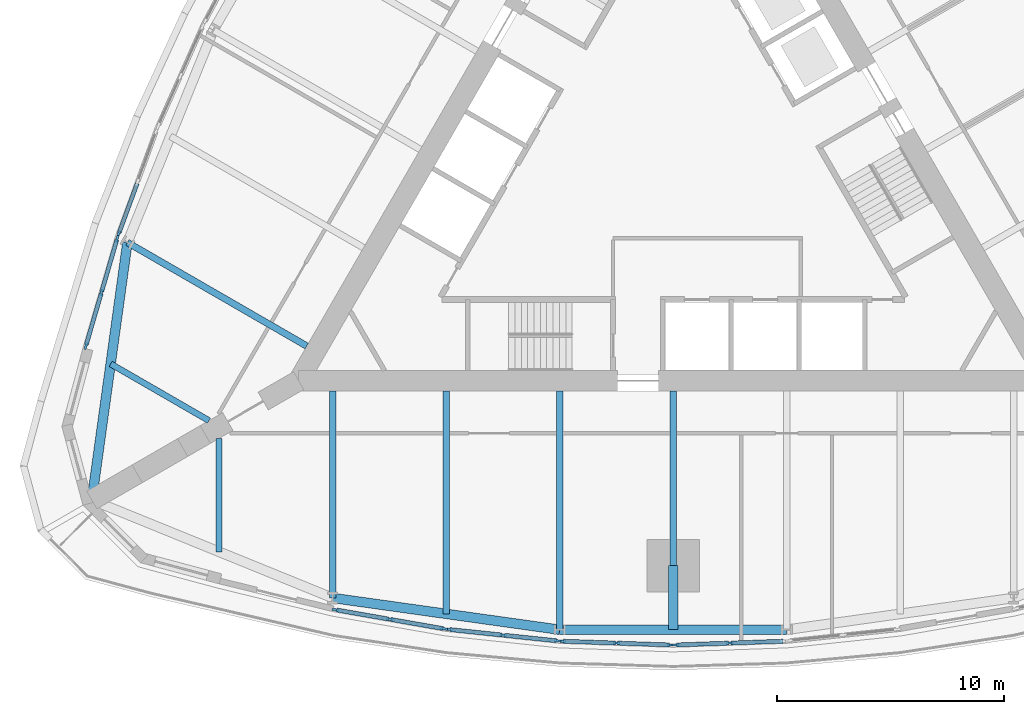
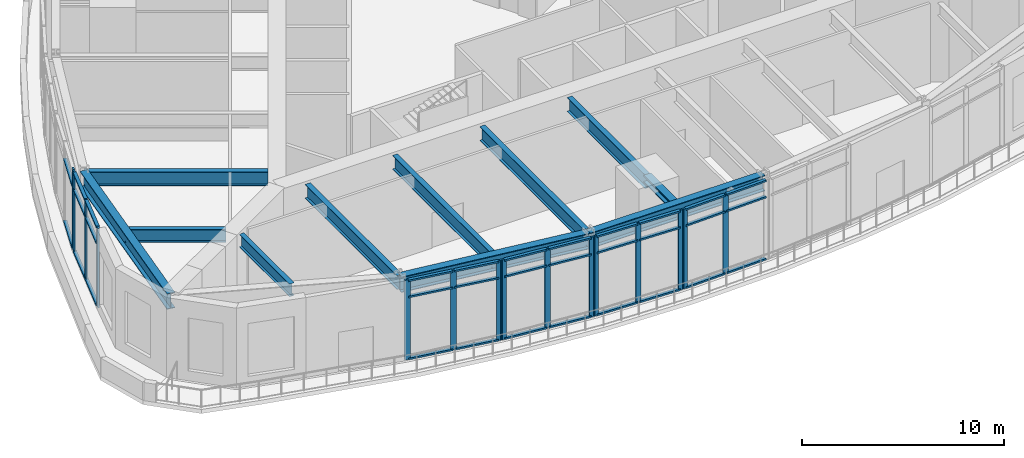
# One storey, part 2 of 14: 47 members, 11 beams, 6 elements without a shape of their own.
"""IFC4 building model written with IfcOpenShell, lengths in metres."""

from ifc_helpers import new_model, si_unit, direction, frame, origin, origin_2d, place, context, subcontext, project, spatial, rectangle, i_section, extrude, material, material_profile, profile_set, type_object, element, aggregate, save


model = new_model("IFC4")

# Units and contexts
model_context = context("Model", 3, precision=1e-05, world=origin(), true_north=direction((0.0, 1.0)))
body_context = subcontext(model_context, "Body", "Model", "MODEL_VIEW")
ifc_project = project(units=[si_unit("LENGTHUNIT", "METRE"), si_unit("AREAUNIT", "SQUARE_METRE"), si_unit("VOLUMEUNIT", "CUBIC_METRE"), si_unit("PLANEANGLEUNIT", "RADIAN"), si_unit("MASSUNIT", "GRAM", prefix="KILO")], contexts=[model_context])

# Site, building, storey
site_placement = place(None, origin())
site = spatial("IfcSite", under=ifc_project, at=site_placement, CompositionType="ELEMENT")
building_placement = place(site_placement, origin())
building = spatial("IfcBuilding", under=site, at=building_placement, Name="Trikona Tower", CompositionType="ELEMENT")
storey_placement = place(building_placement, frame((0.0, 0.0, 109.699951171875)))
storey = spatial("IfcBuildingStorey", under=building, at=storey_placement, Name="L28", CompositionType="ELEMENT", Elevation=109.699951171875)

# Curtain wall, members
ifc_material_1 = material(Name="Aluminium curtain wall system", Category="aluminium")
curtain_wall_type = type_object("IfcCurtainWallType", Name="Curtain wall SL", PredefinedType="NOTDEFINED", material=ifc_material_1)
curtain_wall_1_placement = place(storey_placement, origin())
curtain_wall_1 = element("IfcCurtainWall", 1, at=curtain_wall_1_placement, inside=storey, type_object=curtain_wall_type, Name="Curtain wall SL L28", PredefinedType="NOTDEFINED")
ifc_material_2 = material(Name="Aluminium mullion, pale anodised", Category="aluminium")
ifc_material_profile_1 = material_profile(ifc_material_2, rectangle(XDim=0.10009765625, YDim=0.300048828125, at=origin_2d()), Name="MUL-SL")
ifc_profile_set_1 = profile_set([ifc_material_profile_1], Name="Aluminium mullion, pale anodised")
member_type_1 = type_object("IfcMemberType", Name="Mullion SL 100x300", PredefinedType="MULLION", material=ifc_profile_set_1)
member_1_placement = place(storey_placement, frame((-14.87451171875, -19.62060546875, 0.0), z_axis=(0.0, 0.0, 1.0), x_axis=(0.172396973012, 0.98502755479, 0.0)))
member_1 = element("IfcMember", 2, at=member_1_placement, type_object=member_type_1, Name="CW-SL mullion 1", PredefinedType="MULLION", context=body_context, shape_type="SweptSolid", body=[
    extrude(rectangle(XDim=0.10009765625, YDim=0.300048828125, at=origin_2d()), origin(), (0.0, 0.0, 1.0), 4.8349609375),
])
member_2_placement = place(storey_placement, frame((-12.48291015625, -20.039306640625, 0.0), z_axis=(0.0, 0.0, 1.0), x_axis=(0.172396973012, 0.98502755479, 0.0)))
member_2 = element("IfcMember", 3, at=member_2_placement, type_object=member_type_1, Name="CW-SL mullion 2", PredefinedType="MULLION", context=body_context, shape_type="SweptSolid", body=[
    extrude(rectangle(XDim=0.10009765625, YDim=0.300048828125, at=origin_2d()), origin(), (0.0, 0.0, 1.0), 4.8349609375),
])
member_3_placement = place(storey_placement, frame((-10.091064453125, -20.457763671875, 0.0), z_axis=(0.0, 0.0, 1.0), x_axis=(0.172396973012, 0.98502755479, 0.0)))
member_3 = element("IfcMember", 4, at=member_3_placement, type_object=member_type_1, Name="CW-SL mullion 3", PredefinedType="MULLION", context=body_context, shape_type="SweptSolid", body=[
    extrude(rectangle(XDim=0.10009765625, YDim=0.300048828125, at=origin_2d()), origin(), (0.0, 0.0, 1.0), 4.8349609375),
])

curtain_wall_2_placement = place(storey_placement, origin())
curtain_wall_2 = element("IfcCurtainWall", 5, at=curtain_wall_2_placement, inside=storey, type_object=curtain_wall_type, Name="Curtain wall SL L28", PredefinedType="NOTDEFINED")
member_4_placement = place(storey_placement, frame((-9.880126953125, -20.4873046875, 0.0), z_axis=(0.0, 0.0, 1.0), x_axis=(0.104431270982, 0.994532105887, 0.0)))
member_4 = element("IfcMember", 6, at=member_4_placement, type_object=member_type_1, Name="CW-SL mullion 1", PredefinedType="MULLION", context=body_context, shape_type="SweptSolid", body=[
    extrude(rectangle(XDim=0.10009765625, YDim=0.300048828125, at=origin_2d()), origin(), (0.0, 0.0, 1.0), 4.8349609375),
])
member_5_placement = place(storey_placement, frame((-7.489501953125, -20.73828125, 0.0), z_axis=(0.0, 0.0, 1.0), x_axis=(0.104431270982, 0.994532105887, 0.0)))
member_5 = element("IfcMember", 7, at=member_5_placement, type_object=member_type_1, Name="CW-SL mullion 2", PredefinedType="MULLION", context=body_context, shape_type="SweptSolid", body=[
    extrude(rectangle(XDim=0.10009765625, YDim=0.300048828125, at=origin_2d()), origin(), (0.0, 0.0, 1.0), 4.8349609375),
])
member_6_placement = place(storey_placement, frame((-5.098876953125, -20.9892578125, 0.0), z_axis=(0.0, 0.0, 1.0), x_axis=(0.104431270982, 0.994532105887, 0.0)))
member_6 = element("IfcMember", 8, at=member_6_placement, type_object=member_type_1, Name="CW-SL mullion 3", PredefinedType="MULLION", context=body_context, shape_type="SweptSolid", body=[
    extrude(rectangle(XDim=0.10009765625, YDim=0.300048828125, at=origin_2d()), origin(), (0.0, 0.0, 1.0), 4.8349609375),
])

curtain_wall_3_placement = place(storey_placement, origin())
curtain_wall_3 = element("IfcCurtainWall", 9, at=curtain_wall_3_placement, inside=storey, type_object=curtain_wall_type, Name="Curtain wall SL L28", PredefinedType="NOTDEFINED")
member_7_placement = place(storey_placement, frame((-4.886474609375, -21.004150390625, 0.0), z_axis=(0.0, 0.0, 1.0), x_axis=(0.034978582174, 0.999388062161, 0.0)))
member_7 = element("IfcMember", 10, at=member_7_placement, type_object=member_type_1, Name="CW-SL mullion 1", PredefinedType="MULLION", context=body_context, shape_type="SweptSolid", body=[
    extrude(rectangle(XDim=0.10009765625, YDim=0.300048828125, at=origin_2d()), origin(), (0.0, 0.0, 1.0), 4.8349609375),
])
member_8_placement = place(storey_placement, frame((-2.49658203125, -21.087890625, 0.0), z_axis=(0.0, 0.0, 1.0), x_axis=(0.034978582174, 0.999388062161, 0.0)))
member_8 = element("IfcMember", 11, at=member_8_placement, type_object=member_type_1, Name="CW-SL mullion 2", PredefinedType="MULLION", context=body_context, shape_type="SweptSolid", body=[
    extrude(rectangle(XDim=0.10009765625, YDim=0.300048828125, at=origin_2d()), origin(), (0.0, 0.0, 1.0), 4.8349609375),
])
member_9_placement = place(storey_placement, frame((-0.1064453125, -21.17138671875, 0.0), z_axis=(0.0, 0.0, 1.0), x_axis=(0.034978582174, 0.999388062161, 0.0)))
member_9 = element("IfcMember", 12, at=member_9_placement, type_object=member_type_1, Name="CW-SL mullion 3", PredefinedType="MULLION", context=body_context, shape_type="SweptSolid", body=[
    extrude(rectangle(XDim=0.10009765625, YDim=0.300048828125, at=origin_2d()), origin(), (0.0, 0.0, 1.0), 4.8349609375),
])

curtain_wall_4_placement = place(storey_placement, origin())
curtain_wall_4 = element("IfcCurtainWall", 13, at=curtain_wall_4_placement, inside=storey, type_object=curtain_wall_type, Name="Curtain wall SL L28", PredefinedType="NOTDEFINED")
member_10_placement = place(storey_placement, frame((0.1064453125, -21.17138671875, 0.0), z_axis=(0.0, 0.0, 1.0), x_axis=(-0.034978582174, 0.999388062161, 0.0)))
member_10 = element("IfcMember", 14, at=member_10_placement, type_object=member_type_1, Name="CW-SL mullion 1", PredefinedType="MULLION", context=body_context, shape_type="SweptSolid", body=[
    extrude(rectangle(XDim=0.10009765625, YDim=0.300048828125, at=origin_2d()), origin(), (0.0, 0.0, 1.0), 4.8349609375),
])
member_11_placement = place(storey_placement, frame((2.49658203125, -21.087890625, 0.0), z_axis=(0.0, 0.0, 1.0), x_axis=(-0.034978582174, 0.999388062161, 0.0)))
member_11 = element("IfcMember", 15, at=member_11_placement, type_object=member_type_1, Name="CW-SL mullion 2", PredefinedType="MULLION", context=body_context, shape_type="SweptSolid", body=[
    extrude(rectangle(XDim=0.10009765625, YDim=0.300048828125, at=origin_2d()), origin(), (0.0, 0.0, 1.0), 4.8349609375),
])

# Curtain wall, member
curtain_wall_5_placement = place(storey_placement, origin())
curtain_wall_5 = element("IfcCurtainWall", 16, at=curtain_wall_5_placement, inside=storey, type_object=curtain_wall_type, Name="Curtain wall SL L28", PredefinedType="NOTDEFINED")
member_12_placement = place(storey_placement, frame((-24.42919921875, -3.0712890625, 0.0), z_axis=(0.0, 0.0, 1.0), x_axis=(0.939256167895, -0.343216915478, 0.0)))
member_12 = element("IfcMember", 17, at=member_12_placement, type_object=member_type_1, Name="CW-SL mullion 3", PredefinedType="MULLION", context=body_context, shape_type="SweptSolid", body=[
    extrude(rectangle(XDim=0.10009765625, YDim=0.300048828125, at=origin_2d()), origin(), (0.0, 0.0, 1.0), 4.8349609375),
])

# Curtain wall, members
curtain_wall_6_placement = place(storey_placement, origin())
curtain_wall_6 = element("IfcCurtainWall", 18, at=curtain_wall_6_placement, inside=storey, type_object=curtain_wall_type, Name="Curtain wall SL L28", PredefinedType="NOTDEFINED")
member_13_placement = place(storey_placement, frame((-24.49560546875, -3.27392578125, 0.0), z_axis=(0.0, 0.0, 1.0), x_axis=(0.960131547242, -0.2795485861, 0.0)))
member_13 = element("IfcMember", 19, at=member_13_placement, type_object=member_type_1, Name="CW-SL mullion 1", PredefinedType="MULLION", context=body_context, shape_type="SweptSolid", body=[
    extrude(rectangle(XDim=0.10009765625, YDim=0.300048828125, at=origin_2d()), origin(), (0.0, 0.0, 1.0), 4.8349609375),
])
member_14_placement = place(storey_placement, frame((-25.1845703125, -5.6396484375, 0.0), z_axis=(0.0, 0.0, 1.0), x_axis=(0.960131547242, -0.2795485861, 0.0)))
member_14 = element("IfcMember", 20, at=member_14_placement, type_object=member_type_1, Name="CW-SL mullion 2", PredefinedType="MULLION", context=body_context, shape_type="SweptSolid", body=[
    extrude(rectangle(XDim=0.10009765625, YDim=0.300048828125, at=origin_2d()), origin(), (0.0, 0.0, 1.0), 4.8349609375),
])
member_15_placement = place(storey_placement, frame((-25.873291015625, -8.005126953125, 0.0), z_axis=(0.0, 0.0, 1.0), x_axis=(0.960131547242, -0.2795485861, 0.0)))
member_15 = element("IfcMember", 21, at=member_15_placement, type_object=member_type_1, Name="CW-SL mullion 3", PredefinedType="MULLION", context=body_context, shape_type="SweptSolid", body=[
    extrude(rectangle(XDim=0.10009765625, YDim=0.300048828125, at=origin_2d()), origin(), (0.0, 0.0, 1.0), 4.8349609375),
])

# Beams
ifc_material_3 = material(Name="Steel ASTM A992 Grade 50", Category="steel")
ifc_material_profile_2 = material_profile(ifc_material_3, i_section(OverallWidth=0.419189453125, OverallDepth=0.45458984375, WebThickness=0.042236328125, FlangeThickness=0.067626953125, at=origin_2d()), Name="W14X370")
ifc_profile_set_2 = profile_set([ifc_material_profile_2], Name="Steel ASTM A992 Grade 50")
beam_type_1 = type_object("IfcBeamType", Name="Steel beam W14x370 (apex bracket)", PredefinedType="BEAM", material=ifc_profile_set_2)
beam_1_placement = place(storey_placement, frame((0.0, -17.680419921875, 4.607666015625), z_axis=(0.0, -1.0, 0.0), x_axis=(1.0, 0.0, 0.0)))
element("IfcBeam", 22, at=beam_1_placement, inside=storey, type_object=beam_type_1, Name="Cantilever bracket L29 F1", PredefinedType="BEAM", context=body_context, shape_type="SweptSolid", body=[
    extrude(i_section(OverallWidth=0.419189453125, OverallDepth=0.45458984375, WebThickness=0.042236328125, FlangeThickness=0.067626953125, at=origin_2d()), origin(), (0.0, 0.0, 1.0), 2.81982421875),
])
ifc_material_4 = material(Name="Steel ASTM A992 Grade 50", Category="steel")
ifc_material_profile_3 = material_profile(ifc_material_4, i_section(OverallWidth=0.2666015625, OverallDepth=0.76953125, WebThickness=0.015625, FlangeThickness=0.025390625, at=origin_2d()), Name="W30X132")
ifc_profile_set_3 = profile_set([ifc_material_profile_3], Name="Steel ASTM A992 Grade 50")
beam_type_2 = type_object("IfcBeamType", Name="Steel beam W30x132 (wedge)", PredefinedType="BEAM", material=ifc_profile_set_3)
beam_2_placement = place(storey_placement, frame((-20.0, -12.066650390625, 4.4501953125), z_axis=(0.0, -1.0, 0.0), x_axis=(1.0, 0.0, 0.0)))
element("IfcBeam", 23, at=beam_2_placement, inside=storey, type_object=beam_type_2, Name="Floor beam L29 F1 u-20", PredefinedType="BEAM", context=body_context, shape_type="SweptSolid", body=[
    extrude(i_section(OverallWidth=0.2666015625, OverallDepth=0.76953125, WebThickness=0.015625, FlangeThickness=0.025390625, at=origin_2d()), origin(), (0.0, 0.0, 1.0), 5.00048828125),
])
beam_3_placement = place(storey_placement, frame((-20.449951171875, -11.287109375, 4.4501953125), z_axis=(-0.866038434829, 0.49997742889, 0.0), x_axis=(-0.49997742889, -0.866038434829, 0.0)))
element("IfcBeam", 24, at=beam_3_placement, inside=storey, type_object=beam_type_2, Name="Floor beam L29 F3 u20", PredefinedType="BEAM", context=body_context, shape_type="SweptSolid", body=[
    extrude(i_section(OverallWidth=0.2666015625, OverallDepth=0.76953125, WebThickness=0.015625, FlangeThickness=0.025390625, at=origin_2d()), origin(), (0.0, 0.0, 1.0), 5.000732421875),
])
ifc_material_5 = material(Name="Steel ASTM A992 Grade 50", Category="steel")
ifc_material_profile_4 = material_profile(ifc_material_5, i_section(OverallWidth=0.2919921875, OverallDepth=0.845703125, WebThickness=0.015380859375, FlangeThickness=0.0244140625, at=origin_2d()), Name="W33X141")
ifc_profile_set_4 = profile_set([ifc_material_profile_4], Name="Steel ASTM A992 Grade 50")
beam_type_3 = type_object("IfcBeamType", Name="Steel beam W33x141 (radial typ)", PredefinedType="BEAM", material=ifc_profile_set_4)
beam_4_placement = place(storey_placement, frame((-15.0, -9.976318359375, 4.412109375), z_axis=(0.0, -1.0, 0.0), x_axis=(1.0, 0.0, 0.0)))
element("IfcBeam", 25, at=beam_4_placement, inside=storey, type_object=beam_type_3, Name="Floor beam L29 F1 u-15", PredefinedType="BEAM", context=body_context, shape_type="SweptSolid", body=[
    extrude(i_section(OverallWidth=0.2919921875, OverallDepth=0.845703125, WebThickness=0.015380859375, FlangeThickness=0.0244140625, at=origin_2d()), origin(), (0.0, 0.0, 1.0), 9.123779296875),
])
beam_5_placement = place(storey_placement, frame((-10.0, -9.976318359375, 4.412109375), z_axis=(0.0, -1.0, 0.0), x_axis=(1.0, 0.0, 0.0)))
element("IfcBeam", 26, at=beam_5_placement, inside=storey, type_object=beam_type_3, Name="Floor beam L29 F1 u-10", PredefinedType="BEAM", context=body_context, shape_type="SweptSolid", body=[
    extrude(i_section(OverallWidth=0.2919921875, OverallDepth=0.845703125, WebThickness=0.015380859375, FlangeThickness=0.0244140625, at=origin_2d()), origin(), (0.0, 0.0, 1.0), 9.823974609375),
])
beam_6_placement = place(storey_placement, frame((-5.0, -9.976318359375, 4.412109375), z_axis=(0.0, -1.0, 0.0), x_axis=(1.0, 0.0, 0.0)))
element("IfcBeam", 27, at=beam_6_placement, inside=storey, type_object=beam_type_3, Name="Floor beam L29 F1 u-5", PredefinedType="BEAM", context=body_context, shape_type="SweptSolid", body=[
    extrude(i_section(OverallWidth=0.2919921875, OverallDepth=0.845703125, WebThickness=0.015380859375, FlangeThickness=0.0244140625, at=origin_2d()), origin(), (0.0, 0.0, 1.0), 10.52392578125),
])
beam_7_placement = place(storey_placement, frame((0.0, -9.976318359375, 4.412109375), z_axis=(0.0, -1.0, 0.0), x_axis=(1.0, 0.0, 0.0)))
element("IfcBeam", 28, at=beam_7_placement, inside=storey, type_object=beam_type_3, Name="Floor beam L29 F1 u0", PredefinedType="BEAM", context=body_context, shape_type="SweptSolid", body=[
    extrude(i_section(OverallWidth=0.2919921875, OverallDepth=0.845703125, WebThickness=0.015380859375, FlangeThickness=0.0244140625, at=origin_2d()), origin(), (0.0, 0.0, 1.0), 7.7041015625),
])
beam_8_placement = place(storey_placement, frame((-16.1396484375, -8.002197265625, 4.412109375), z_axis=(-0.866024725532, 0.500001174766, 0.0), x_axis=(-0.500001174766, -0.866024725532, 0.0)))
element("IfcBeam", 29, at=beam_8_placement, inside=storey, type_object=beam_type_3, Name="Floor beam L29 F3 u15", PredefinedType="BEAM", context=body_context, shape_type="SweptSolid", body=[
    extrude(i_section(OverallWidth=0.2919921875, OverallDepth=0.845703125, WebThickness=0.015380859375, FlangeThickness=0.0244140625, at=origin_2d()), origin(), (0.0, 0.0, 1.0), 9.1240234375),
])
ifc_material_6 = material(Name="Steel ASTM A992 Grade 50", Category="steel")
ifc_material_profile_5 = material_profile(ifc_material_6, i_section(OverallWidth=0.424072265625, OverallDepth=0.947509765625, WebThickness=0.02392578125, FlangeThickness=0.042724609375, at=origin_2d()), Name="W36X302")
ifc_profile_set_5 = profile_set([ifc_material_profile_5], Name="Steel ASTM A992 Grade 50")
beam_type_4 = type_object("IfcBeamType", Name="Steel beam W36x302 (spandrel)", PredefinedType="SPANDREL", material=ifc_profile_set_5)
beam_9_placement = place(storey_placement, frame((-15.0, -19.10009765625, 4.361328125), z_axis=(0.990339754644, -0.13866207258, 0.0), x_axis=(0.13866207258, 0.990339754644, 0.0)))
element("IfcBeam", 30, at=beam_9_placement, inside=storey, type_object=beam_type_4, Name="Spandrel beam L29 F1-2", PredefinedType="SPANDREL", context=body_context, shape_type="SweptSolid", body=[
    extrude(i_section(OverallWidth=0.424072265625, OverallDepth=0.947509765625, WebThickness=0.02392578125, FlangeThickness=0.042724609375, at=origin_2d()), origin(), (0.0, 0.0, 1.0), 10.09765625),
])
beam_10_placement = place(storey_placement, frame((-5.0, -20.500244140625, 4.361328125), z_axis=(1.0, 0.0, 0.0), x_axis=(0.0, 1.0, 0.0)))
element("IfcBeam", 31, at=beam_10_placement, inside=storey, type_object=beam_type_4, Name="Spandrel beam L29 F1-3", PredefinedType="SPANDREL", context=body_context, shape_type="SweptSolid", body=[
    extrude(i_section(OverallWidth=0.424072265625, OverallDepth=0.947509765625, WebThickness=0.02392578125, FlangeThickness=0.042724609375, at=origin_2d()), origin(), (0.0, 0.0, 1.0), 10.0),
])
beam_11_placement = place(storey_placement, frame((-24.041259765625, -3.440185546875, 4.361328125), z_axis=(-0.136991535842, -0.990572218017, 0.0), x_axis=(0.990572218017, -0.136991535842, 0.0)))
element("IfcBeam", 32, at=beam_11_placement, inside=storey, type_object=beam_type_4, Name="Spandrel beam L29 F3-5", PredefinedType="SPANDREL", context=body_context, shape_type="SweptSolid", body=[
    extrude(i_section(OverallWidth=0.424072265625, OverallDepth=0.947509765625, WebThickness=0.02392578125, FlangeThickness=0.042724609375, at=origin_2d()), origin(), (0.0, 0.0, 1.0), 11.453857421875),
])

# Member
ifc_material_7 = material(Name="Aluminium transom, pale anodised", Category="aluminium")
ifc_material_profile_6 = material_profile(ifc_material_7, rectangle(XDim=0.179931640625, YDim=0.10009765625, at=origin_2d()), Name="TRN-SL")
ifc_profile_set_6 = profile_set([ifc_material_profile_6], Name="Aluminium transom, pale anodised")
member_type_2 = type_object("IfcMemberType", Name="Transom SL 100x180", PredefinedType="USERDEFINED", material=ifc_profile_set_6)
member_16_placement = place(storey_placement, frame((-14.8251953125, -19.629150390625, 0.050048828125), z_axis=(0.985026460405, -0.172403225903, 0.0), x_axis=(0.172403225903, 0.985026460405, 0.0)))
member_16 = element("IfcMember", 33, at=member_16_placement, type_object=member_type_2, Name="CW-SL transom 1.1", ObjectType="TRANSOM", PredefinedType="USERDEFINED", context=body_context, shape_type="SweptSolid", body=[
    extrude(rectangle(XDim=0.179931640625, YDim=0.10009765625, at=origin_2d()), origin(), (0.0, 0.0, 1.0), 2.328125),
])

member_17_placement = place(storey_placement, frame((-14.8251953125, -19.629150390625, 3.800048828125), z_axis=(0.985026460405, -0.172403225903, 0.0), x_axis=(0.172403225903, 0.985026460405, 0.0)))
member_17 = element("IfcMember", 34, at=member_17_placement, type_object=member_type_2, Name="CW-SL transom 1.2", ObjectType="TRANSOM", PredefinedType="USERDEFINED", context=body_context, shape_type="SweptSolid", body=[
    extrude(rectangle(XDim=0.179931640625, YDim=0.10009765625, at=origin_2d()), origin(), (0.0, 0.0, 1.0), 2.328125),
])

member_18_placement = place(storey_placement, frame((-14.8251953125, -19.629150390625, 4.78515625), z_axis=(0.985026460405, -0.172403225903, 0.0), x_axis=(0.172403225903, 0.985026460405, 0.0)))
member_18 = element("IfcMember", 35, at=member_18_placement, type_object=member_type_2, Name="CW-SL transom 1.3", ObjectType="TRANSOM", PredefinedType="USERDEFINED", context=body_context, shape_type="SweptSolid", body=[
    extrude(rectangle(XDim=0.179931640625, YDim=0.10009765625, at=origin_2d()), origin(), (0.0, 0.0, 1.0), 2.328125),
])

member_19_placement = place(storey_placement, frame((-12.43359375, -20.0478515625, 0.050048828125), z_axis=(0.985026460405, -0.172403225903, 0.0), x_axis=(0.172403225903, 0.985026460405, 0.0)))
member_19 = element("IfcMember", 36, at=member_19_placement, type_object=member_type_2, Name="CW-SL transom 2.1", ObjectType="TRANSOM", PredefinedType="USERDEFINED", context=body_context, shape_type="SweptSolid", body=[
    extrude(rectangle(XDim=0.179931640625, YDim=0.10009765625, at=origin_2d()), origin(), (0.0, 0.0, 1.0), 2.328125),
])

member_20_placement = place(storey_placement, frame((-12.43359375, -20.0478515625, 3.800048828125), z_axis=(0.985026460405, -0.172403225903, 0.0), x_axis=(0.172403225903, 0.985026460405, 0.0)))
member_20 = element("IfcMember", 37, at=member_20_placement, type_object=member_type_2, Name="CW-SL transom 2.2", ObjectType="TRANSOM", PredefinedType="USERDEFINED", context=body_context, shape_type="SweptSolid", body=[
    extrude(rectangle(XDim=0.179931640625, YDim=0.10009765625, at=origin_2d()), origin(), (0.0, 0.0, 1.0), 2.328125),
])

member_21_placement = place(storey_placement, frame((-12.43359375, -20.0478515625, 4.78515625), z_axis=(0.985026460405, -0.172403225903, 0.0), x_axis=(0.172403225903, 0.985026460405, 0.0)))
member_21 = element("IfcMember", 38, at=member_21_placement, type_object=member_type_2, Name="CW-SL transom 2.3", ObjectType="TRANSOM", PredefinedType="USERDEFINED", context=body_context, shape_type="SweptSolid", body=[
    extrude(rectangle(XDim=0.179931640625, YDim=0.10009765625, at=origin_2d()), origin(), (0.0, 0.0, 1.0), 2.328125),
])

aggregate(curtain_wall_1, [member_1, member_2, member_3, member_16, member_17, member_18, member_19, member_20, member_21])

member_22_placement = place(storey_placement, frame((-9.83056640625, -20.492431640625, 0.050048828125), z_axis=(0.994537343092, -0.104381383372, 0.0), x_axis=(0.104381383372, 0.994537343092, 0.0)))
member_22 = element("IfcMember", 39, at=member_22_placement, type_object=member_type_2, Name="CW-SL transom 1.1", ObjectType="TRANSOM", PredefinedType="USERDEFINED", context=body_context, shape_type="SweptSolid", body=[
    extrude(rectangle(XDim=0.179931640625, YDim=0.10009765625, at=origin_2d()), origin(), (0.0, 0.0, 1.0), 2.303955078125),
])

member_23_placement = place(storey_placement, frame((-9.83056640625, -20.492431640625, 3.800048828125), z_axis=(0.994537343092, -0.104381383372, 0.0), x_axis=(0.104381383372, 0.994537343092, 0.0)))
member_23 = element("IfcMember", 40, at=member_23_placement, type_object=member_type_2, Name="CW-SL transom 1.2", ObjectType="TRANSOM", PredefinedType="USERDEFINED", context=body_context, shape_type="SweptSolid", body=[
    extrude(rectangle(XDim=0.179931640625, YDim=0.10009765625, at=origin_2d()), origin(), (0.0, 0.0, 1.0), 2.303955078125),
])

member_24_placement = place(storey_placement, frame((-9.83056640625, -20.492431640625, 4.78515625), z_axis=(0.994537343092, -0.104381383372, 0.0), x_axis=(0.104381383372, 0.994537343092, 0.0)))
member_24 = element("IfcMember", 41, at=member_24_placement, type_object=member_type_2, Name="CW-SL transom 1.3", ObjectType="TRANSOM", PredefinedType="USERDEFINED", context=body_context, shape_type="SweptSolid", body=[
    extrude(rectangle(XDim=0.179931640625, YDim=0.10009765625, at=origin_2d()), origin(), (0.0, 0.0, 1.0), 2.303955078125),
])

member_25_placement = place(storey_placement, frame((-7.43994140625, -20.743408203125, 0.050048828125), z_axis=(0.994526336721, -0.104486197976, 0.0), x_axis=(0.104486197976, 0.994526336721, 0.0)))
member_25 = element("IfcMember", 42, at=member_25_placement, type_object=member_type_2, Name="CW-SL transom 2.1", ObjectType="TRANSOM", PredefinedType="USERDEFINED", context=body_context, shape_type="SweptSolid", body=[
    extrude(rectangle(XDim=0.179931640625, YDim=0.10009765625, at=origin_2d()), origin(), (0.0, 0.0, 1.0), 2.303955078125),
])

member_26_placement = place(storey_placement, frame((-7.43994140625, -20.743408203125, 3.800048828125), z_axis=(0.994526336721, -0.104486197976, 0.0), x_axis=(0.104486197976, 0.994526336721, 0.0)))
member_26 = element("IfcMember", 43, at=member_26_placement, type_object=member_type_2, Name="CW-SL transom 2.2", ObjectType="TRANSOM", PredefinedType="USERDEFINED", context=body_context, shape_type="SweptSolid", body=[
    extrude(rectangle(XDim=0.179931640625, YDim=0.10009765625, at=origin_2d()), origin(), (0.0, 0.0, 1.0), 2.303955078125),
])

member_27_placement = place(storey_placement, frame((-7.43994140625, -20.743408203125, 4.78515625), z_axis=(0.994526336721, -0.104486197976, 0.0), x_axis=(0.104486197976, 0.994526336721, 0.0)))
member_27 = element("IfcMember", 44, at=member_27_placement, type_object=member_type_2, Name="CW-SL transom 2.3", ObjectType="TRANSOM", PredefinedType="USERDEFINED", context=body_context, shape_type="SweptSolid", body=[
    extrude(rectangle(XDim=0.179931640625, YDim=0.10009765625, at=origin_2d()), origin(), (0.0, 0.0, 1.0), 2.303955078125),
])

aggregate(curtain_wall_2, [member_4, member_5, member_6, member_22, member_23, member_24, member_25, member_26, member_27])

member_28_placement = place(storey_placement, frame((-4.836669921875, -21.005859375, 0.050048828125), z_axis=(0.9993893091, -0.034942937148, 0.0), x_axis=(0.034942937148, 0.9993893091, 0.0)))
member_28 = element("IfcMember", 45, at=member_28_placement, type_object=member_type_2, Name="CW-SL transom 1.1", ObjectType="TRANSOM", PredefinedType="USERDEFINED", context=body_context, shape_type="SweptSolid", body=[
    extrude(rectangle(XDim=0.179931640625, YDim=0.10009765625, at=origin_2d()), origin(), (0.0, 0.0, 1.0), 2.291748046875),
])

member_29_placement = place(storey_placement, frame((-4.836669921875, -21.005859375, 3.800048828125), z_axis=(0.9993893091, -0.034942937148, 0.0), x_axis=(0.034942937148, 0.9993893091, 0.0)))
member_29 = element("IfcMember", 46, at=member_29_placement, type_object=member_type_2, Name="CW-SL transom 1.2", ObjectType="TRANSOM", PredefinedType="USERDEFINED", context=body_context, shape_type="SweptSolid", body=[
    extrude(rectangle(XDim=0.179931640625, YDim=0.10009765625, at=origin_2d()), origin(), (0.0, 0.0, 1.0), 2.291748046875),
])

member_30_placement = place(storey_placement, frame((-4.836669921875, -21.005859375, 4.78515625), z_axis=(0.9993893091, -0.034942937148, 0.0), x_axis=(0.034942937148, 0.9993893091, 0.0)))
member_30 = element("IfcMember", 47, at=member_30_placement, type_object=member_type_2, Name="CW-SL transom 1.3", ObjectType="TRANSOM", PredefinedType="USERDEFINED", context=body_context, shape_type="SweptSolid", body=[
    extrude(rectangle(XDim=0.179931640625, YDim=0.10009765625, at=origin_2d()), origin(), (0.0, 0.0, 1.0), 2.291748046875),
])

member_31_placement = place(storey_placement, frame((-2.446533203125, -21.089599609375, 0.050048828125), z_axis=(0.999389179001, -0.034946657858, 0.0), x_axis=(0.034946657858, 0.999389179001, 0.0)))
member_31 = element("IfcMember", 48, at=member_31_placement, type_object=member_type_2, Name="CW-SL transom 2.1", ObjectType="TRANSOM", PredefinedType="USERDEFINED", context=body_context, shape_type="SweptSolid", body=[
    extrude(rectangle(XDim=0.179931640625, YDim=0.10009765625, at=origin_2d()), origin(), (0.0, 0.0, 1.0), 2.29150390625),
])

member_32_placement = place(storey_placement, frame((-2.446533203125, -21.089599609375, 3.800048828125), z_axis=(0.999389179001, -0.034946657858, 0.0), x_axis=(0.034946657858, 0.999389179001, 0.0)))
member_32 = element("IfcMember", 49, at=member_32_placement, type_object=member_type_2, Name="CW-SL transom 2.2", ObjectType="TRANSOM", PredefinedType="USERDEFINED", context=body_context, shape_type="SweptSolid", body=[
    extrude(rectangle(XDim=0.179931640625, YDim=0.10009765625, at=origin_2d()), origin(), (0.0, 0.0, 1.0), 2.29150390625),
])

member_33_placement = place(storey_placement, frame((-2.446533203125, -21.089599609375, 4.78515625), z_axis=(0.999389179001, -0.034946657858, 0.0), x_axis=(0.034946657858, 0.999389179001, 0.0)))
member_33 = element("IfcMember", 50, at=member_33_placement, type_object=member_type_2, Name="CW-SL transom 2.3", ObjectType="TRANSOM", PredefinedType="USERDEFINED", context=body_context, shape_type="SweptSolid", body=[
    extrude(rectangle(XDim=0.179931640625, YDim=0.10009765625, at=origin_2d()), origin(), (0.0, 0.0, 1.0), 2.29150390625),
])

aggregate(curtain_wall_3, [member_7, member_8, member_9, member_28, member_29, member_30, member_31, member_32, member_33])

member_34_placement = place(storey_placement, frame((0.156494140625, -21.169677734375, 0.050048828125), z_axis=(0.999389179001, 0.034946657858, 0.0), x_axis=(-0.034946657858, 0.999389179001, 0.0)))
member_34 = element("IfcMember", 51, at=member_34_placement, type_object=member_type_2, Name="CW-SL transom 1.1", ObjectType="TRANSOM", PredefinedType="USERDEFINED", context=body_context, shape_type="SweptSolid", body=[
    extrude(rectangle(XDim=0.179931640625, YDim=0.10009765625, at=origin_2d()), origin(), (0.0, 0.0, 1.0), 2.29150390625),
])

member_35_placement = place(storey_placement, frame((0.156494140625, -21.169677734375, 3.800048828125), z_axis=(0.999389179001, 0.034946657858, 0.0), x_axis=(-0.034946657858, 0.999389179001, 0.0)))
member_35 = element("IfcMember", 52, at=member_35_placement, type_object=member_type_2, Name="CW-SL transom 1.2", ObjectType="TRANSOM", PredefinedType="USERDEFINED", context=body_context, shape_type="SweptSolid", body=[
    extrude(rectangle(XDim=0.179931640625, YDim=0.10009765625, at=origin_2d()), origin(), (0.0, 0.0, 1.0), 2.29150390625),
])

member_36_placement = place(storey_placement, frame((0.156494140625, -21.169677734375, 4.78515625), z_axis=(0.999389179001, 0.034946657858, 0.0), x_axis=(-0.034946657858, 0.999389179001, 0.0)))
member_36 = element("IfcMember", 53, at=member_36_placement, type_object=member_type_2, Name="CW-SL transom 1.3", ObjectType="TRANSOM", PredefinedType="USERDEFINED", context=body_context, shape_type="SweptSolid", body=[
    extrude(rectangle(XDim=0.179931640625, YDim=0.10009765625, at=origin_2d()), origin(), (0.0, 0.0, 1.0), 2.29150390625),
])

member_37_placement = place(storey_placement, frame((2.54638671875, -21.0859375, 0.050048828125), z_axis=(0.9993893091, 0.034942937148, 0.0), x_axis=(-0.034942937148, 0.9993893091, 0.0)))
member_37 = element("IfcMember", 54, at=member_37_placement, type_object=member_type_2, Name="CW-SL transom 2.1", ObjectType="TRANSOM", PredefinedType="USERDEFINED", context=body_context, shape_type="SweptSolid", body=[
    extrude(rectangle(XDim=0.179931640625, YDim=0.10009765625, at=origin_2d()), origin(), (0.0, 0.0, 1.0), 2.291748046875),
])

member_38_placement = place(storey_placement, frame((2.54638671875, -21.0859375, 3.800048828125), z_axis=(0.9993893091, 0.034942937148, 0.0), x_axis=(-0.034942937148, 0.9993893091, 0.0)))
member_38 = element("IfcMember", 55, at=member_38_placement, type_object=member_type_2, Name="CW-SL transom 2.2", ObjectType="TRANSOM", PredefinedType="USERDEFINED", context=body_context, shape_type="SweptSolid", body=[
    extrude(rectangle(XDim=0.179931640625, YDim=0.10009765625, at=origin_2d()), origin(), (0.0, 0.0, 1.0), 2.291748046875),
])

member_39_placement = place(storey_placement, frame((2.54638671875, -21.0859375, 4.78515625), z_axis=(0.9993893091, 0.034942937148, 0.0), x_axis=(-0.034942937148, 0.9993893091, 0.0)))
member_39 = element("IfcMember", 56, at=member_39_placement, type_object=member_type_2, Name="CW-SL transom 2.3", ObjectType="TRANSOM", PredefinedType="USERDEFINED", context=body_context, shape_type="SweptSolid", body=[
    extrude(rectangle(XDim=0.179931640625, YDim=0.10009765625, at=origin_2d()), origin(), (0.0, 0.0, 1.0), 2.291748046875),
])

aggregate(curtain_wall_4, [member_10, member_11, member_34, member_35, member_36, member_37, member_38, member_39])

member_40_placement = place(storey_placement, frame((-23.613037109375, -0.837646484375, 0.050048828125), z_axis=(-0.343216080807, -0.939256472895, 0.0), x_axis=(0.939256472895, -0.343216080807, 0.0)))
member_40 = element("IfcMember", 57, at=member_40_placement, type_object=member_type_2, Name="CW-SL transom 2.1", ObjectType="TRANSOM", PredefinedType="USERDEFINED", context=body_context, shape_type="SweptSolid", body=[
    extrude(rectangle(XDim=0.179931640625, YDim=0.10009765625, at=origin_2d()), origin(), (0.0, 0.0, 1.0), 2.328125),
])

member_41_placement = place(storey_placement, frame((-23.613037109375, -0.837646484375, 3.800048828125), z_axis=(-0.343216080807, -0.939256472895, 0.0), x_axis=(0.939256472895, -0.343216080807, 0.0)))
member_41 = element("IfcMember", 58, at=member_41_placement, type_object=member_type_2, Name="CW-SL transom 2.2", ObjectType="TRANSOM", PredefinedType="USERDEFINED", context=body_context, shape_type="SweptSolid", body=[
    extrude(rectangle(XDim=0.179931640625, YDim=0.10009765625, at=origin_2d()), origin(), (0.0, 0.0, 1.0), 2.328125),
])

aggregate(curtain_wall_5, [member_12, member_40, member_41])

member_42_placement = place(storey_placement, frame((-24.509765625, -3.322021484375, 0.050048828125), z_axis=(-0.279492288824, -0.960147936772, 0.0), x_axis=(0.960147936772, -0.279492288824, 0.0)))
member_42 = element("IfcMember", 59, at=member_42_placement, type_object=member_type_2, Name="CW-SL transom 1.1", ObjectType="TRANSOM", PredefinedType="USERDEFINED", context=body_context, shape_type="SweptSolid", body=[
    extrude(rectangle(XDim=0.179931640625, YDim=0.10009765625, at=origin_2d()), origin(), (0.0, 0.0, 1.0), 2.36376953125),
])

member_43_placement = place(storey_placement, frame((-24.509765625, -3.322021484375, 3.800048828125), z_axis=(-0.279492288824, -0.960147936772, 0.0), x_axis=(0.960147936772, -0.279492288824, 0.0)))
member_43 = element("IfcMember", 60, at=member_43_placement, type_object=member_type_2, Name="CW-SL transom 1.2", ObjectType="TRANSOM", PredefinedType="USERDEFINED", context=body_context, shape_type="SweptSolid", body=[
    extrude(rectangle(XDim=0.179931640625, YDim=0.10009765625, at=origin_2d()), origin(), (0.0, 0.0, 1.0), 2.36376953125),
])

member_44_placement = place(storey_placement, frame((-24.509765625, -3.322021484375, 4.78515625), z_axis=(-0.279492288824, -0.960147936772, 0.0), x_axis=(0.960147936772, -0.279492288824, 0.0)))
member_44 = element("IfcMember", 61, at=member_44_placement, type_object=member_type_2, Name="CW-SL transom 1.3", ObjectType="TRANSOM", PredefinedType="USERDEFINED", context=body_context, shape_type="SweptSolid", body=[
    extrude(rectangle(XDim=0.179931640625, YDim=0.10009765625, at=origin_2d()), origin(), (0.0, 0.0, 1.0), 2.36376953125),
])

member_45_placement = place(storey_placement, frame((-25.198486328125, -5.6875, 0.050048828125), z_axis=(-0.279464574213, -0.960156003866, 0.0), x_axis=(0.960156003866, -0.279464574213, 0.0)))
member_45 = element("IfcMember", 62, at=member_45_placement, type_object=member_type_2, Name="CW-SL transom 2.1", ObjectType="TRANSOM", PredefinedType="USERDEFINED", context=body_context, shape_type="SweptSolid", body=[
    extrude(rectangle(XDim=0.179931640625, YDim=0.10009765625, at=origin_2d()), origin(), (0.0, 0.0, 1.0), 2.364013671875),
])

member_46_placement = place(storey_placement, frame((-25.198486328125, -5.6875, 3.800048828125), z_axis=(-0.279464574213, -0.960156003866, 0.0), x_axis=(0.960156003866, -0.279464574213, 0.0)))
member_46 = element("IfcMember", 63, at=member_46_placement, type_object=member_type_2, Name="CW-SL transom 2.2", ObjectType="TRANSOM", PredefinedType="USERDEFINED", context=body_context, shape_type="SweptSolid", body=[
    extrude(rectangle(XDim=0.179931640625, YDim=0.10009765625, at=origin_2d()), origin(), (0.0, 0.0, 1.0), 2.364013671875),
])

member_47_placement = place(storey_placement, frame((-25.198486328125, -5.6875, 4.78515625), z_axis=(-0.279464574213, -0.960156003866, 0.0), x_axis=(0.960156003866, -0.279464574213, 0.0)))
member_47 = element("IfcMember", 64, at=member_47_placement, type_object=member_type_2, Name="CW-SL transom 2.3", ObjectType="TRANSOM", PredefinedType="USERDEFINED", context=body_context, shape_type="SweptSolid", body=[
    extrude(rectangle(XDim=0.179931640625, YDim=0.10009765625, at=origin_2d()), origin(), (0.0, 0.0, 1.0), 2.364013671875),
])

aggregate(curtain_wall_6, [member_13, member_14, member_15, member_42, member_43, member_44, member_45, member_46, member_47])

save(model, "model.ifc")
